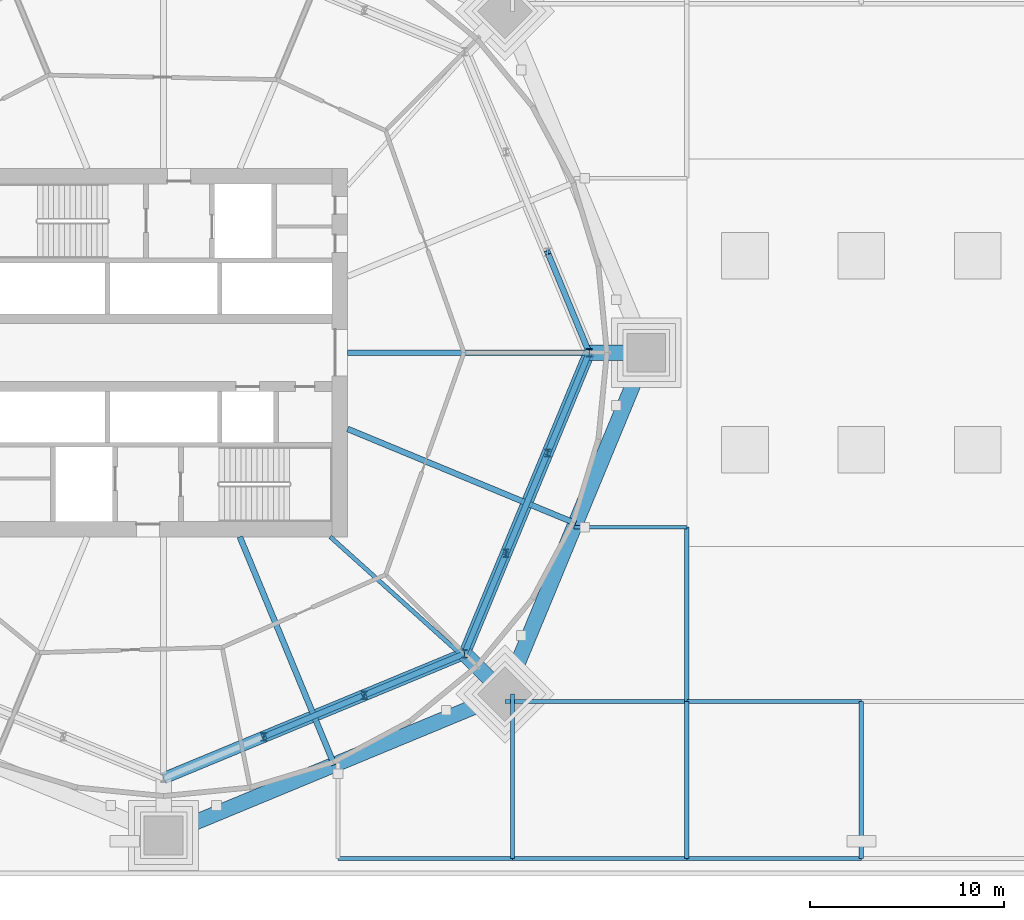
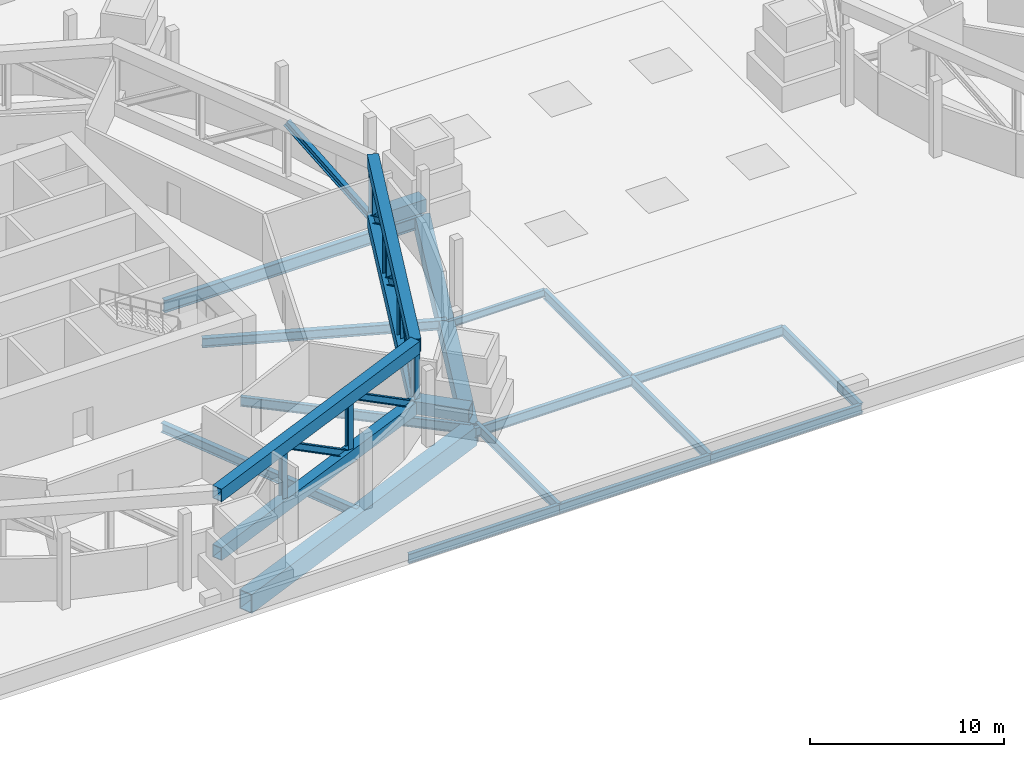
# One storey, part 3 of 21: 18 beams, 16 members.
"""IFC4 building model written with IfcOpenShell, lengths in metres."""

from ifc_helpers import new_model, si_unit, direction, frame, origin, origin_2d, place, context, subcontext, project, spatial, hollow_rectangle, i_section, extrude, material, material_profile, profile_set, type_object, element, save


model = new_model("IFC4")

# Units and contexts
model_context = context("Model", 3, precision=1e-05, world=origin(), true_north=direction((0.0, 1.0)))
body_context = subcontext(model_context, "Body", "Model", "MODEL_VIEW")
ifc_project = project(units=[si_unit("LENGTHUNIT", "METRE"), si_unit("AREAUNIT", "SQUARE_METRE"), si_unit("VOLUMEUNIT", "CUBIC_METRE"), si_unit("PLANEANGLEUNIT", "RADIAN"), si_unit("MASSUNIT", "GRAM", prefix="KILO")], contexts=[model_context])

# Site, building, storey
site_placement = place(None, origin())
site = spatial("IfcSite", under=ifc_project, at=site_placement, CompositionType="ELEMENT")
building_placement = place(site_placement, origin())
building = spatial("IfcBuilding", under=site, at=building_placement, Name="Ogive Gate Towers", CompositionType="ELEMENT")
storey_placement = place(building_placement, frame((0.0, 0.0, 27.60009765625)))
storey = spatial("IfcBuildingStorey", under=building, at=storey_placement, Name="L05", CompositionType="ELEMENT", Elevation=27.60009765625)

# Beams
ifc_material_1 = material(Name="Steel SM460", Category="steel")
ifc_material_profile_1 = material_profile(ifc_material_1, hollow_rectangle(XDim=0.800048828125, YDim=1.199951171875, WallThickness=0.050048828125, at=origin_2d()), Name="BX 1200x800x50")
ifc_profile_set_1 = profile_set([ifc_material_profile_1], Name="Steel SM460")
beam_type_1 = type_object("IfcBeamType", Name="Edge girder BX 1200x800x50", PredefinedType="BEAM", material=ifc_profile_set_1)
for number, where, z_axis, x_axis, name in (
    (1, (-36.0, -24.909912109375, -0.900146484375), (0.923880736283, 0.382680526191, 0.0), (-0.382680526191, 0.923880736283, 0.0), "T1/L05/SBM018"),
    (2, (-18.385986328125, -17.614013671875, -0.900146484375), (0.382680526191, 0.923880736283, 0.0), (-0.923880736283, 0.382680526191, 0.0), "T1/L05/SBM019"),
):
    element("IfcBeam", number, at=place(storey_placement, frame(where, z_axis=z_axis, x_axis=x_axis)), inside=storey, type_object=beam_type_1, Name=name, PredefinedType="BEAM", context=body_context, shape_type="SweptSolid", body=[
        extrude(hollow_rectangle(XDim=0.800048828125, YDim=1.199951171875, WallThickness=0.050048828125, at=origin_2d()), origin(), (0.0, 0.0, 1.0), 19.065185546875),
    ])
ifc_material_2 = material(Name="Steel SM355", Category="steel")
ifc_material_profile_2 = material_profile(ifc_material_2, i_section(OverallWidth=0.18994140625, OverallDepth=0.449951171875, WebThickness=0.009521484375, FlangeThickness=0.0146484375, FilletRadius=0.02099609375, at=origin_2d()), Name="IPE 450")
ifc_profile_set_2 = profile_set([ifc_material_profile_2], Name="Steel SM355")
beam_type_2 = type_object("IfcBeamType", Name="Floor beam IPE 450", PredefinedType="BEAM", material=ifc_profile_set_2)
beam_1_placement = place(storey_placement, frame((-9.0, -9.0, -0.525146484375), z_axis=(-1.0, 0.0, 0.0), x_axis=(0.0, -1.0, 0.0)))
element("IfcBeam", 3, at=beam_1_placement, inside=storey, type_object=beam_type_2, Name="PD/L05/SBM057", PredefinedType="BEAM", context=body_context, shape_type="SweptSolid", body=[
    extrude(i_section(OverallWidth=0.18994140625, OverallDepth=0.449951171875, WebThickness=0.009521484375, FlangeThickness=0.0146484375, FilletRadius=0.02099609375, at=origin_2d()), origin(), (0.0, 0.0, 1.0), 5.81787109375),
])
ifc_material_profile_3 = material_profile(ifc_material_2, i_section(OverallWidth=0.219970703125, OverallDepth=0.60009765625, WebThickness=0.011962890625, FlangeThickness=0.01904296875, FilletRadius=0.02392578125, at=origin_2d()), Name="IPE 600")
ifc_profile_set_3 = profile_set([ifc_material_profile_3], Name="Steel SM355")
beam_type_3 = type_object("IfcBeamType", Name="Floor beam IPE 600", PredefinedType="BEAM", material=ifc_profile_set_3)
beam_2_placement = place(storey_placement, frame((-18.0, -26.10009765625, -0.60009765625), z_axis=(0.0, 1.0, 0.0), x_axis=(-1.0, 0.0, 0.0)))
element("IfcBeam", 4, at=beam_2_placement, inside=storey, type_object=beam_type_3, Name="PD/L05/SBM003", PredefinedType="BEAM", context=body_context, shape_type="SweptSolid", body=[
    extrude(i_section(OverallWidth=0.219970703125, OverallDepth=0.60009765625, WebThickness=0.011962890625, FlangeThickness=0.01904296875, FilletRadius=0.02392578125, at=origin_2d()), origin(), (0.0, 0.0, 1.0), 8.486083984375),
])
beam_3_placement = place(storey_placement, frame((-9.0, -26.10009765625, -0.60009765625), z_axis=(0.0, 1.0, 0.0), x_axis=(-1.0, 0.0, 0.0)))
element("IfcBeam", 5, at=beam_3_placement, inside=storey, type_object=beam_type_3, Name="PD/L05/SBM005", PredefinedType="BEAM", context=body_context, shape_type="SweptSolid", body=[
    extrude(i_section(OverallWidth=0.219970703125, OverallDepth=0.60009765625, WebThickness=0.011962890625, FlangeThickness=0.01904296875, FilletRadius=0.02392578125, at=origin_2d()), origin(), (0.0, 0.0, 1.0), 8.10009765625),
])
beam_4_placement = place(storey_placement, frame((-9.0, -18.0, -0.60009765625), z_axis=(0.0, 1.0, 0.0), x_axis=(-1.0, 0.0, 0.0)))
element("IfcBeam", 6, at=beam_4_placement, inside=storey, type_object=beam_type_3, Name="PD/L05/SBM006", PredefinedType="BEAM", context=body_context, shape_type="SweptSolid", body=[
    extrude(i_section(OverallWidth=0.219970703125, OverallDepth=0.60009765625, WebThickness=0.011962890625, FlangeThickness=0.01904296875, FilletRadius=0.02392578125, at=origin_2d()), origin(), (0.0, 0.0, 1.0), 9.0),
])
beam_5_placement = place(storey_placement, frame((0.0, -26.10009765625, -0.60009765625), z_axis=(0.0, 1.0, 0.0), x_axis=(-1.0, 0.0, 0.0)))
element("IfcBeam", 7, at=beam_5_placement, inside=storey, type_object=beam_type_3, Name="PD/L05/SBM009", PredefinedType="BEAM", context=body_context, shape_type="SweptSolid", body=[
    extrude(i_section(OverallWidth=0.219970703125, OverallDepth=0.60009765625, WebThickness=0.011962890625, FlangeThickness=0.01904296875, FilletRadius=0.02392578125, at=origin_2d()), origin(), (0.0, 0.0, 1.0), 8.10009765625),
])
beam_6_placement = place(storey_placement, frame((-18.385986328125, -18.0, -0.60009765625), z_axis=(1.0, 0.0, 0.0), x_axis=(0.0, 1.0, 0.0)))
element("IfcBeam", 8, at=beam_6_placement, inside=storey, type_object=beam_type_3, Name="PD/L05/SBM020", PredefinedType="BEAM", context=body_context, shape_type="SweptSolid", body=[
    extrude(i_section(OverallWidth=0.219970703125, OverallDepth=0.60009765625, WebThickness=0.011962890625, FlangeThickness=0.01904296875, FilletRadius=0.02392578125, at=origin_2d()), origin(), (0.0, 0.0, 1.0), 9.385986328125),
])
for number, where, z_axis, x_axis, name in (
    (9, (-9.0, -18.0, -0.60009765625), (1.0, 0.0, 0.0), (0.0, 1.0, 0.0), "PD/L05/SBM021"),
    (10, (0.0, -26.10009765625, -0.60009765625), (-1.0, 0.0, 0.0), (0.0, -1.0, 0.0), "PD/L05/SBM035"),
    (11, (-9.0, -26.10009765625, -0.60009765625), (-1.0, 0.0, 0.0), (0.0, -1.0, 0.0), "PD/L05/SBM036"),
    (12, (-18.0, -26.10009765625, -0.60009765625), (-1.0, 0.0, 0.0), (0.0, -1.0, 0.0), "PD/L05/SBM037"),
):
    element("IfcBeam", number, at=place(storey_placement, frame(where, z_axis=z_axis, x_axis=x_axis)), inside=storey, type_object=beam_type_3, Name=name, PredefinedType="BEAM", context=body_context, shape_type="SweptSolid", body=[
        extrude(i_section(OverallWidth=0.219970703125, OverallDepth=0.60009765625, WebThickness=0.011962890625, FlangeThickness=0.01904296875, FilletRadius=0.02392578125, at=origin_2d()), origin(), (0.0, 0.0, 1.0), 9.0),
    ])
ifc_material_profile_4 = material_profile(ifc_material_1, hollow_rectangle(XDim=0.800048828125, YDim=0.800048828125, WallThickness=0.050048828125, at=origin_2d()), Name="BX 800x800x50")
ifc_profile_set_4 = profile_set([ifc_material_profile_4], Name="Steel SM460")
beam_type_4 = type_object("IfcBeamType", Name="Node arm BX 800x800x50", PredefinedType="BEAM", material=ifc_profile_set_4)
for number, where, z_axis, x_axis, name in (
    (13, (-14.0400390625, 0.0, 0.449951171875), (1.0, 0.0, 0.0), (0.0, 1.0, 0.0), "T1/L05/SBM025"),
    (14, (-20.471923828125, -15.528076171875, 0.449951171875), (0.707106781187, -0.707106781187, 0.0), (0.707106781187, 0.707106781187, 0.0), "T1/L05/SBM032"),
):
    element("IfcBeam", number, at=place(storey_placement, frame(where, z_axis=z_axis, x_axis=x_axis)), inside=storey, type_object=beam_type_4, Name=name, PredefinedType="BEAM", context=body_context, shape_type="SweptSolid", body=[
        extrude(hollow_rectangle(XDim=0.800048828125, YDim=0.800048828125, WallThickness=0.050048828125, at=origin_2d()), origin(), (0.0, 0.0, 1.0), 2.949951171875),
    ])
ifc_material_profile_5 = material_profile(ifc_material_2, i_section(OverallWidth=0.300048828125, OverallDepth=0.590087890625, WebThickness=0.012939453125, FlangeThickness=0.02490234375, FilletRadius=0.027099609375, at=origin_2d()), Name="HE 600 A")
ifc_profile_set_5 = profile_set([ifc_material_profile_5], Name="Steel SM355")
beam_type_5 = type_object("IfcBeamType", Name="Radial floor beam HE 600 A", PredefinedType="BEAM", material=ifc_profile_set_5)
for number, where, z_axis, x_axis, name in (
    (15, (-32.06494140625, -9.5, -0.59521484375), (0.382690523214, -0.923876595354, 0.0), (0.923876595354, 0.382690523214, 0.0), "T1/L05/SBM004"),
    (16, (-26.5, -3.93505859375, -0.59521484375), (0.923876595354, -0.382690523214, 0.0), (0.382690523214, 0.923876595354, 0.0), "T1/L05/SBM006"),
):
    element("IfcBeam", number, at=place(storey_placement, frame(where, z_axis=z_axis, x_axis=x_axis)), inside=storey, type_object=beam_type_5, Name=name, PredefinedType="BEAM", context=body_context, shape_type="SweptSolid", body=[
        extrude(i_section(OverallWidth=0.300048828125, OverallDepth=0.590087890625, WebThickness=0.012939453125, FlangeThickness=0.02490234375, FilletRadius=0.027099609375, at=origin_2d()), origin(), (0.0, 0.0, 1.0), 12.731201171875),
    ])
ifc_material_profile_6 = material_profile(ifc_material_2, i_section(OverallWidth=0.300048828125, OverallDepth=0.7900390625, WebThickness=0.014892578125, FlangeThickness=0.028076171875, FilletRadius=0.030029296875, at=origin_2d()), Name="HE 800 A")
ifc_profile_set_6 = profile_set([ifc_material_profile_6], Name="Steel SM355")
beam_type_6 = type_object("IfcBeamType", Name="Radial floor beam HE 800 A", PredefinedType="BEAM", material=ifc_profile_set_6)
beam_7_placement = place(storey_placement, frame((-26.5, 0.0, -0.695068359375), z_axis=(1.0, 0.0, 0.0), x_axis=(0.0, 1.0, 0.0)))
element("IfcBeam", 17, at=beam_7_placement, inside=storey, type_object=beam_type_6, Name="T1/L05/SBM007", PredefinedType="BEAM", context=body_context, shape_type="SweptSolid", body=[
    extrude(i_section(OverallWidth=0.300048828125, OverallDepth=0.7900390625, WebThickness=0.014892578125, FlangeThickness=0.028076171875, FilletRadius=0.030029296875, at=origin_2d()), origin(), (0.0, 0.0, 1.0), 15.409912109375),
])
ifc_material_profile_7 = material_profile(ifc_material_2, i_section(OverallWidth=0.219970703125, OverallDepth=0.60009765625, WebThickness=0.011962890625, FlangeThickness=0.01904296875, FilletRadius=0.02392578125, at=origin_2d()), Name="IPE 600")
ifc_profile_set_7 = profile_set([ifc_material_profile_7], Name="Steel SM355")
beam_type_7 = type_object("IfcBeamType", Name="Radial floor beam IPE 600", PredefinedType="BEAM", material=ifc_profile_set_7)
beam_8_placement = place(storey_placement, frame((-27.39990234375, -9.5, -0.60009765625), z_axis=(0.743233084761, -0.669032571491, 0.0), x_axis=(0.669032571491, 0.743233084761, 0.0)))
element("IfcBeam", 18, at=beam_8_placement, inside=storey, type_object=beam_type_7, Name="T1/L05/SBM005", PredefinedType="BEAM", context=body_context, shape_type="SweptSolid", body=[
    extrude(i_section(OverallWidth=0.219970703125, OverallDepth=0.60009765625, WebThickness=0.011962890625, FlangeThickness=0.01904296875, FilletRadius=0.02392578125, at=origin_2d()), origin(), (0.0, 0.0, 1.0), 12.1279296875),
])

# Members
ifc_material_profile_8 = material_profile(ifc_material_1, hollow_rectangle(XDim=0.60009765625, YDim=0.800048828125, WallThickness=0.0400390625, at=origin_2d()), Name="BX 800x600x40")
ifc_profile_set_8 = profile_set([ifc_material_profile_8], Name="Steel SM460")
member_type_1 = type_object("IfcMemberType", Name="Truss chord BX 800x600x40", PredefinedType="CHORD", material=ifc_profile_set_8)
for number, where, z_axis, x_axis, name in (
    (19, (-36.0, -21.9599609375, 0.39990234375), (0.923880689089, 0.382680640128, 0.0), (-0.382680640128, 0.923880689089, 0.0), "T1/L05/STR050"),
    (20, (-36.0, -21.9599609375, 4.099853515625), (0.923880689089, 0.382680640128, 0.0), (-0.382680640128, 0.923880689089, 0.0), "T1/L05/STR051"),
    (21, (-20.471923828125, -15.528076171875, 0.39990234375), (0.382680640128, 0.923880689089, 0.0), (-0.923880689089, 0.382680640128, 0.0), "T1/L05/STR058"),
    (22, (-20.471923828125, -15.528076171875, 4.099853515625), (0.382680640128, 0.923880689089, 0.0), (-0.923880689089, 0.382680640128, 0.0), "T1/L05/STR059"),
):
    element("IfcMember", number, at=place(storey_placement, frame(where, z_axis=z_axis, x_axis=x_axis)), inside=storey, type_object=member_type_1, Name=name, PredefinedType="CHORD", context=body_context, shape_type="SweptSolid", body=[
        extrude(hollow_rectangle(XDim=0.60009765625, YDim=0.800048828125, WallThickness=0.0400390625, at=origin_2d()), origin(), (0.0, 0.0, 1.0), 16.807373046875),
    ])
ifc_material_profile_9 = material_profile(ifc_material_1, i_section(OverallWidth=0.300048828125, OverallDepth=0.39990234375, WebThickness=0.013427734375, FlangeThickness=0.02392578125, FilletRadius=0.027099609375, at=origin_2d()), Name="HE 400 B")
ifc_profile_set_9 = profile_set([ifc_material_profile_9], Name="Steel SM460")
member_type_2 = type_object("IfcMemberType", Name="Truss diagonal HE 400 B", PredefinedType="BRACE", material=ifc_profile_set_9)
member_1_placement = place(storey_placement, frame((-14.0400390625, 0.0, 0.39990234375), z_axis=(-0.319339131165, 0.770930189005, 0.551079996904), x_axis=(-0.92387555344, -0.382693038551, 0.0)))
element("IfcMember", 23, at=member_1_placement, inside=storey, type_object=member_type_2, Name="T1/L05/STR003", PredefinedType="BRACE", context=body_context, shape_type="SweptSolid", body=[
    extrude(i_section(OverallWidth=0.300048828125, OverallDepth=0.39990234375, WebThickness=0.013427734375, FlangeThickness=0.02392578125, FilletRadius=0.027099609375, at=origin_2d()), origin(), (0.0, 0.0, 1.0), 6.714111328125),
])
member_2_placement = place(storey_placement, frame((-30.823974609375, -19.81591796875, 4.099853515625), z_axis=(0.770939140771, 0.319306475879, -0.551086395848), x_axis=(-0.382655842662, 0.923890960058, 0.0)))
element("IfcMember", 24, at=member_2_placement, inside=storey, type_object=member_type_2, Name="T1/L05/STR053", PredefinedType="BRACE", context=body_context, shape_type="SweptSolid", body=[
    extrude(i_section(OverallWidth=0.300048828125, OverallDepth=0.39990234375, WebThickness=0.013427734375, FlangeThickness=0.02392578125, FilletRadius=0.027099609375, at=origin_2d()), origin(), (0.0, 0.0, 1.0), 6.7138671875),
])
for number, where, z_axis, x_axis, name in (
    (25, (-25.64794921875, -17.672119140625, 4.099853515625), (0.770930189005, 0.319339131165, -0.551079996904), (-0.382693038551, 0.92387555344, 0.0), "T1/L05/STR054"),
    (26, (-20.471923828125, -15.528076171875, 0.39990234375), (0.319339131165, 0.770930189005, 0.551079996904), (-0.92387555344, 0.382693038551, 0.0), "T1/L05/STR060"),
):
    element("IfcMember", number, at=place(storey_placement, frame(where, z_axis=z_axis, x_axis=x_axis)), inside=storey, type_object=member_type_2, Name=name, PredefinedType="BRACE", context=body_context, shape_type="SweptSolid", body=[
        extrude(i_section(OverallWidth=0.300048828125, OverallDepth=0.39990234375, WebThickness=0.013427734375, FlangeThickness=0.02392578125, FilletRadius=0.027099609375, at=origin_2d()), origin(), (0.0, 0.0, 1.0), 6.714111328125),
    ])
member_3_placement = place(storey_placement, frame((-18.327880859375, -10.35205078125, 4.099853515625), z_axis=(0.319306475879, 0.770939140771, -0.551086395848), x_axis=(-0.923890960058, 0.382655842662, 0.0)))
element("IfcMember", 27, at=member_3_placement, inside=storey, type_object=member_type_2, Name="T1/L05/STR061", PredefinedType="BRACE", context=body_context, shape_type="SweptSolid", body=[
    extrude(i_section(OverallWidth=0.300048828125, OverallDepth=0.39990234375, WebThickness=0.013427734375, FlangeThickness=0.02392578125, FilletRadius=0.027099609375, at=origin_2d()), origin(), (0.0, 0.0, 1.0), 6.7138671875),
])
member_4_placement = place(storey_placement, frame((-16.18408203125, -5.176025390625, 4.099853515625), z_axis=(0.319339131165, 0.770930189005, -0.551079996904), x_axis=(-0.92387555344, 0.382693038551, 0.0)))
element("IfcMember", 28, at=member_4_placement, inside=storey, type_object=member_type_2, Name="T1/L05/STR062", PredefinedType="BRACE", context=body_context, shape_type="SweptSolid", body=[
    extrude(i_section(OverallWidth=0.300048828125, OverallDepth=0.39990234375, WebThickness=0.013427734375, FlangeThickness=0.02392578125, FilletRadius=0.027099609375, at=origin_2d()), origin(), (0.0, 0.0, 1.0), 6.714111328125),
])
ifc_material_profile_10 = material_profile(ifc_material_1, i_section(OverallWidth=0.300048828125, OverallDepth=0.39990234375, WebThickness=0.013427734375, FlangeThickness=0.02392578125, FilletRadius=0.027099609375, at=origin_2d()), Name="HE 400 B")
ifc_profile_set_10 = profile_set([ifc_material_profile_10], Name="Steel SM460")
member_type_3 = type_object("IfcMemberType", Name="Truss post HE 400 B", PredefinedType="POST", material=ifc_profile_set_10)
for number, where, z_axis, x_axis, name in (
    (29, (-14.0400390625, 0.0, 0.39990234375), (0.0, 0.0, 1.0), (1.0, 0.0, 0.0), "T1/L05/STR006"),
    (30, (-30.823974609375, -19.81591796875, 0.39990234375), (0.0, 0.0, 1.0), (1.0, 0.0, 0.0), "T1/L05/STR055"),
    (31, (-25.64794921875, -17.672119140625, 0.39990234375), (0.0, 0.0, 1.0), (1.0, 0.0, 0.0), "T1/L05/STR056"),
    (32, (-20.471923828125, -15.528076171875, 0.39990234375), (0.0, 0.0, 1.0), (1.0, 0.0, 0.0), "T1/L05/STR057"),
    (33, (-18.327880859375, -10.35205078125, 0.39990234375), (0.0, 0.0, 1.0), (1.0, 0.0, 0.0), "T1/L05/STR063"),
    (34, (-16.18408203125, -5.176025390625, 0.39990234375), (0.0, 0.0, 1.0), (1.0, 0.0, 0.0), "T1/L05/STR064"),
):
    element("IfcMember", number, at=place(storey_placement, frame(where, z_axis=z_axis, x_axis=x_axis)), inside=storey, type_object=member_type_3, Name=name, PredefinedType="POST", context=body_context, shape_type="SweptSolid", body=[
        extrude(i_section(OverallWidth=0.300048828125, OverallDepth=0.39990234375, WebThickness=0.013427734375, FlangeThickness=0.02392578125, FilletRadius=0.027099609375, at=origin_2d()), origin(), (0.0, 0.0, 1.0), 3.699951171875),
    ])

save(model, "model.ifc")
